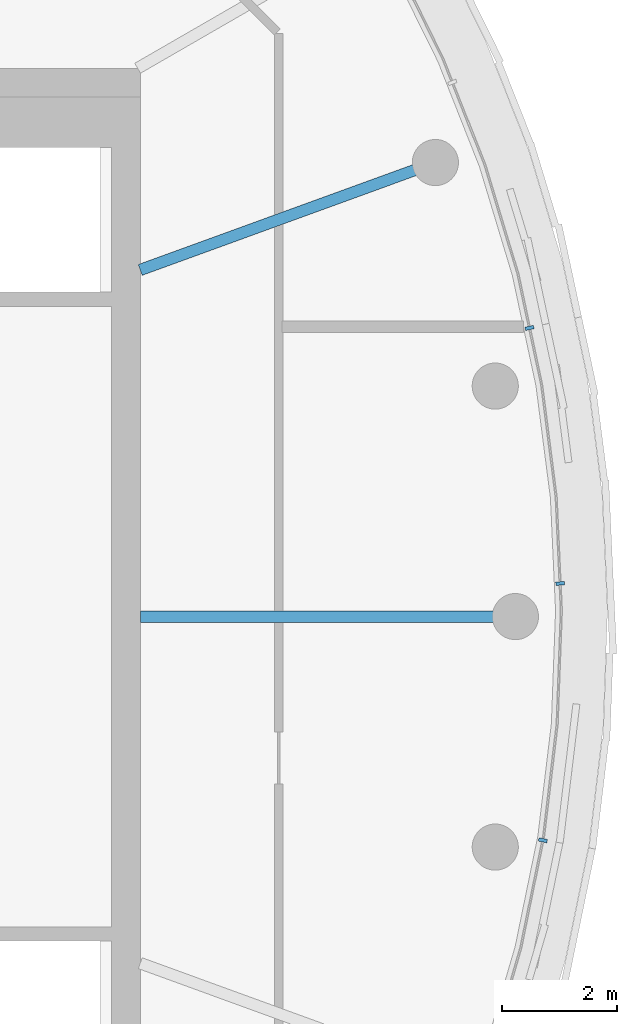
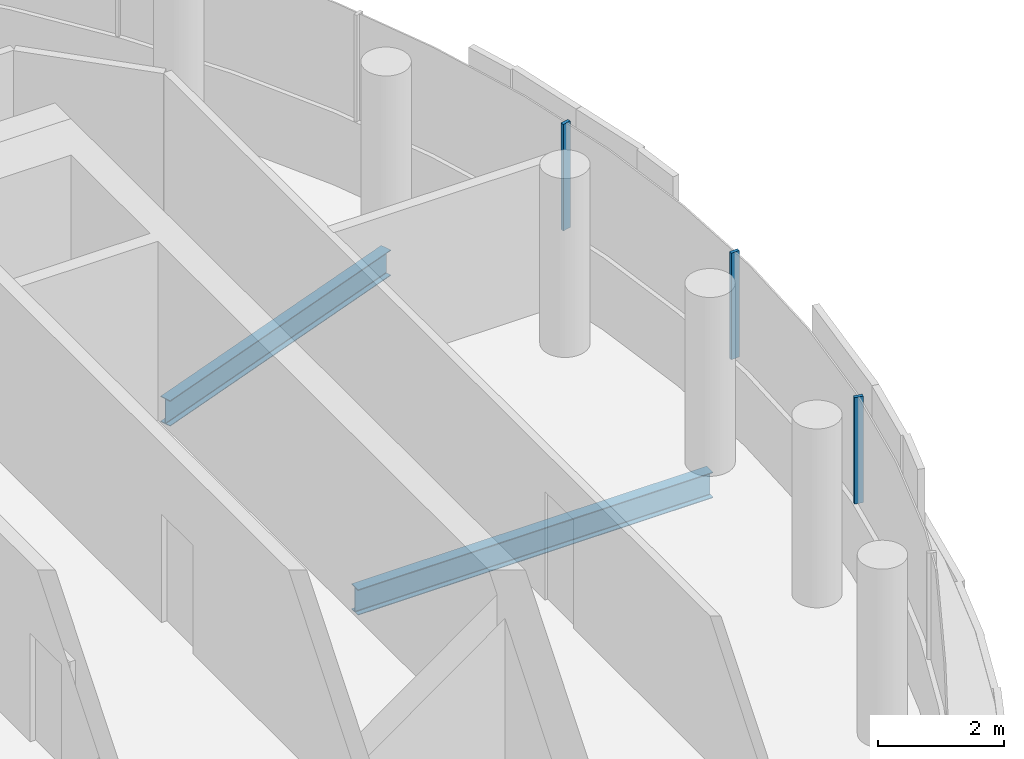
# One storey, part 6 of 22: 3 members, 2 beams, 1 element without a shape of its own.
"""IFC4 building model written with IfcOpenShell, lengths in metres."""

from ifc_helpers import new_model, si_unit, direction, frame, origin, origin_2d, place, context, subcontext, project, spatial, rectangle, i_section, extrude, material, layer, layer_set, material_profile, profile_set, type_object, element, aggregate, save


model = new_model("IFC4")

# Units and contexts
model_context = context("Model", 3, precision=1e-05, world=origin(), true_north=direction((0.0, 1.0)))
body_context = subcontext(model_context, "Body", "Model", "MODEL_VIEW")
ifc_project = project(units=[si_unit("LENGTHUNIT", "METRE"), si_unit("AREAUNIT", "SQUARE_METRE"), si_unit("VOLUMEUNIT", "CUBIC_METRE"), si_unit("PLANEANGLEUNIT", "RADIAN"), si_unit("MASSUNIT", "GRAM", prefix="KILO")], contexts=[model_context])

# Site, building, storey
site_placement = place(None, origin())
site = spatial("IfcSite", under=ifc_project, at=site_placement, CompositionType="ELEMENT")
building_placement = place(site_placement, origin())
building = spatial("IfcBuilding", under=site, at=building_placement, Name="Tamarind Cross Interchange Tower", CompositionType="ELEMENT")
storey_placement = place(building_placement, frame((0.0, 0.0, 256.800048828125)))
storey = spatial("IfcBuildingStorey", under=building, at=storey_placement, Name="L65", CompositionType="ELEMENT", Elevation=256.800048828125)

# Beams
ifc_material_1 = material(Name="Steel Q355B", Category="steel")
ifc_material_profile_1 = material_profile(ifc_material_1, i_section(OverallWidth=0.198974609375, OverallDepth=0.49609375, WebThickness=0.009033203125, FlangeThickness=0.013916015625, FilletRadius=0.012939453125, at=origin_2d()), Name="HN 496x199x9x14")
ifc_profile_set_1 = profile_set([ifc_material_profile_1], Name="Steel Q355B")
beam_type = type_object("IfcBeamType", Name="Composite beam HN 496x199x9x14 Q355B", PredefinedType="BEAM", material=ifc_profile_set_1)
beam_1_placement = place(storey_placement, frame((23.0, 0.0, -0.387939453125), z_axis=(-1.0, 0.0, 0.0), x_axis=(0.0, -1.0, 0.0)))
element("IfcBeam", 1, at=beam_1_placement, inside=storey, type_object=beam_type, Name="Beam HH00", PredefinedType="BEAM", context=body_context, shape_type="SweptSolid", body=[
    extrude(i_section(OverallWidth=0.198974609375, OverallDepth=0.49609375, WebThickness=0.009033203125, FlangeThickness=0.013916015625, FilletRadius=0.012939453125, at=origin_2d()), origin(), (0.0, 0.0, 1.0), 6.5),
])
beam_2_placement = place(storey_placement, frame((21.613037109375, 7.866455078125, -0.387939453125), z_axis=(-0.939701685589, -0.341995236956, 0.0), x_axis=(0.341995236956, -0.939701685589, 0.0)))
element("IfcBeam", 2, at=beam_2_placement, inside=storey, type_object=beam_type, Name="Beam HH02", PredefinedType="BEAM", context=body_context, shape_type="SweptSolid", body=[
    extrude(i_section(OverallWidth=0.198974609375, OverallDepth=0.49609375, WebThickness=0.009033203125, FlangeThickness=0.013916015625, FilletRadius=0.012939453125, at=origin_2d()), origin(), (0.0, 0.0, 1.0), 5.441162109375),
])

# Curtain wall, members
ifc_material_2 = material(Name="Aluminium 6063-T6", Category="aluminium")
ifc_layer = layer(ifc_material_2, 0.14990234375)
ifc_layer_set = layer_set([ifc_layer], Name="Aluminium 6063-T6")
curtain_wall_type = type_object("IfcCurtainWallType", Name="Winter garden and crown curtain wall", PredefinedType="NOTDEFINED", material=ifc_layer_set)
curtain_wall_placement = place(storey_placement, origin())
curtain_wall = element("IfcCurtainWall", 3, at=curtain_wall_placement, inside=storey, type_object=curtain_wall_type, Name="CWS-L65-01", PredefinedType="NOTDEFINED")
ifc_material_profile_2 = material_profile(ifc_material_2, rectangle(XDim=0.06005859375, YDim=0.14990234375, at=origin_2d()), Name="Mullion CW6")
ifc_profile_set_2 = profile_set([ifc_material_profile_2], Name="Aluminium 6063-T6")
member_type = type_object("IfcMemberType", Name="Mullion CW6", PredefinedType="MULLION", material=ifc_profile_set_2)
member_1_placement = place(storey_placement, frame((23.4755859375, -3.8759765625, 1.39990234375), z_axis=(0.0, 0.0, 1.0), x_axis=(0.201001463943, 0.9795909409, 0.0)))
member_1 = element("IfcMember", 4, at=member_1_placement, type_object=member_type, Name="CWM-L65-01-22", PredefinedType="MULLION", context=body_context, shape_type="SweptSolid", body=[
    extrude(rectangle(XDim=0.06005859375, YDim=0.14990234375, at=origin_2d()), origin(), (0.0, 0.0, 1.0), 2.06005859375),
])
member_2_placement = place(storey_placement, frame((23.774169921875, 0.573486328125, 1.39990234375), z_axis=(0.0, 0.0, 1.0), x_axis=(-0.045624486728, 0.998958660912, 0.0)))
member_2 = element("IfcMember", 5, at=member_2_placement, type_object=member_type, Name="CWM-L65-01-23", PredefinedType="MULLION", context=body_context, shape_type="SweptSolid", body=[
    extrude(rectangle(XDim=0.06005859375, YDim=0.14990234375, at=origin_2d()), origin(), (0.0, 0.0, 1.0), 2.06005859375),
])
member_3_placement = place(storey_placement, frame((23.24365234375, 5.00048828125, 1.39990234375), z_axis=(0.0, 0.0, 1.0), x_axis=(-0.209425419705, 0.977824623121, 0.0)))
member_3 = element("IfcMember", 6, at=member_3_placement, type_object=member_type, Name="CWM-L65-01-24", PredefinedType="MULLION", context=body_context, shape_type="SweptSolid", body=[
    extrude(rectangle(XDim=0.06005859375, YDim=0.14990234375, at=origin_2d()), origin(), (0.0, 0.0, 1.0), 2.06005859375),
])
aggregate(curtain_wall, [member_1, member_2, member_3])

save(model, "model.ifc")
